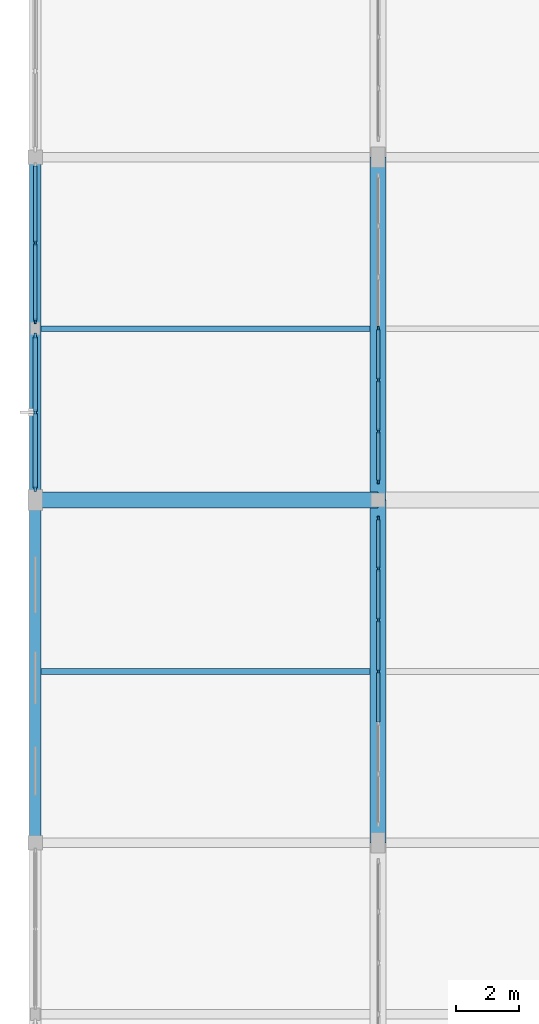
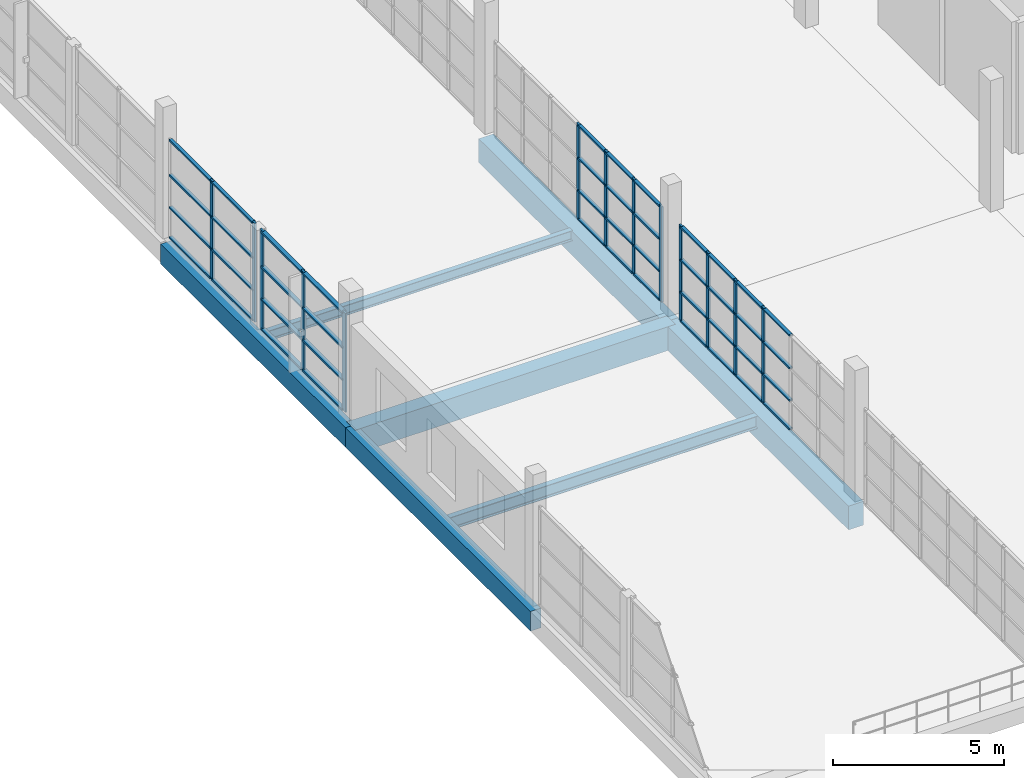
# One storey, part 16 of 142: 57 members, 7 beams, 4 elements without a shape of their own.
"""IFC4 building model written with IfcOpenShell, lengths in metres."""

from ifc_helpers import new_model, si_unit, direction, frame, origin, origin_2d, place, context, subcontext, project, spatial, rectangle, i_section, extrude, material, material_profile, profile_set, type_object, element, aggregate, save


model = new_model("IFC4")

# Units and contexts
model_context = context("Model", 3, precision=1e-05, world=origin(), true_north=direction((0.0, 1.0)))
body_context = subcontext(model_context, "Body", "Model", "MODEL_VIEW")
ifc_project = project(units=[si_unit("LENGTHUNIT", "METRE"), si_unit("AREAUNIT", "SQUARE_METRE"), si_unit("VOLUMEUNIT", "CUBIC_METRE"), si_unit("PLANEANGLEUNIT", "RADIAN"), si_unit("MASSUNIT", "GRAM", prefix="KILO")], contexts=[model_context])

# Site, building, storey
site_placement = place(None, origin())
site = spatial("IfcSite", under=ifc_project, at=site_placement, CompositionType="ELEMENT")
building_placement = place(site_placement, origin())
building = spatial("IfcBuilding", under=site, at=building_placement, Name="Zwinboog Wholesale Market", CompositionType="ELEMENT")
storey_placement = place(building_placement, frame((0.0, 0.0, 5.39990234375)))
storey = spatial("IfcBuildingStorey", under=building, at=storey_placement, Name="L01", CompositionType="ELEMENT", Elevation=5.39990234375)

# Beams
ifc_material_1 = material(Name="Precast concrete C45/55", Category="concrete")
ifc_material_profile_1 = material_profile(ifc_material_1, rectangle(XDim=0.5, YDim=0.85009765625, at=origin_2d()), Name="PC 500x850")
ifc_profile_set_1 = profile_set([ifc_material_profile_1], Name="Precast concrete C45/55")
beam_type_1 = type_object("IfcBeamType", Name="BT-03", PredefinedType="BEAM", material=ifc_profile_set_1)
for number, where, z_axis, x_axis, name in (
    (1, (0.0, 54.0, -0.7568359375), (1.0, 0.0, 0.0), (0.0, 1.0, 0.0), "BG-03 (BMG-L01-0000-0540-0475)"),
    (2, (10.800048828125, 43.199951171875, -0.7568359375), (0.0, 1.0, 0.0), (-1.0, 0.0, 0.0), "BG-03 (BMG-L01-0108-0432-0616)"),
    (3, (10.800048828125, 54.0, -0.7568359375), (0.0, 1.0, 0.0), (-1.0, 0.0, 0.0), "BG-03 (BMG-L01-0108-0540-0617)"),
):
    element("IfcBeam", number, at=place(storey_placement, frame(where, z_axis=z_axis, x_axis=x_axis)), inside=storey, type_object=beam_type_1, Name=name, PredefinedType="BEAM", context=body_context, shape_type="SweptSolid", body=[
        extrude(rectangle(XDim=0.5, YDim=0.85009765625, at=origin_2d()), origin(), (0.0, 0.0, 1.0), 10.800048828125),
    ])
ifc_material_profile_2 = material_profile(ifc_material_1, rectangle(XDim=0.35009765625, YDim=0.699951171875, at=origin_2d()), Name="PC 350x700")
ifc_profile_set_2 = profile_set([ifc_material_profile_2], Name="Precast concrete C45/55")
beam_type_2 = type_object("IfcBeamType", Name="BT-08", PredefinedType="SPANDREL", material=ifc_profile_set_2)
for number, where, z_axis, x_axis, name in (
    (4, (0.0, 43.199951171875, -0.681884765625), (0.0, 1.0, 0.0), (-1.0, 0.0, 0.0), "SP-01 (BMG-L01-0000-0432-0605)"),
    (5, (0.0, 54.0, -0.681884765625), (0.0, 1.0, 0.0), (-1.0, 0.0, 0.0), "SP-01 (BMG-L01-0000-0540-0606)"),
):
    element("IfcBeam", number, at=place(storey_placement, frame(where, z_axis=z_axis, x_axis=x_axis)), inside=storey, type_object=beam_type_2, Name=name, PredefinedType="SPANDREL", context=body_context, shape_type="SweptSolid", body=[
        extrude(rectangle(XDim=0.35009765625, YDim=0.699951171875, at=origin_2d()), origin(), (0.0, 0.0, 1.0), 10.800048828125),
    ])
ifc_material_2 = material(Name="Steel S355", Category="steel")
ifc_material_profile_3 = material_profile(ifc_material_2, i_section(OverallWidth=0.18994140625, OverallDepth=0.449951171875, WebThickness=0.009521484375, FlangeThickness=0.0146484375, FilletRadius=0.02099609375, at=origin_2d()), Name="IPE 450")
ifc_profile_set_3 = profile_set([ifc_material_profile_3], Name="Steel S355")
beam_type_3 = type_object("IfcBeamType", Name="BT-19", PredefinedType="JOIST", material=ifc_profile_set_3)
beam_1_placement = place(storey_placement, frame((0.175048828125, 48.60009765625, -0.556884765625), z_axis=(1.0, 0.0, 0.0), x_axis=(0.0, 1.0, 0.0)))
element("IfcBeam", 6, at=beam_1_placement, inside=storey, type_object=beam_type_3, Name="SJ-02 (BMG-L01-0002-0486-0780)", PredefinedType="JOIST", context=body_context, shape_type="SweptSolid", body=[
    extrude(i_section(OverallWidth=0.18994140625, OverallDepth=0.449951171875, WebThickness=0.009521484375, FlangeThickness=0.0146484375, FilletRadius=0.02099609375, at=origin_2d()), origin(), (0.0, 0.0, 1.0), 10.375),
])
ifc_material_profile_4 = material_profile(ifc_material_2, i_section(OverallWidth=0.169921875, OverallDepth=0.360107421875, WebThickness=0.008056640625, FlangeThickness=0.0126953125, FilletRadius=0.01806640625, at=origin_2d()), Name="IPE 360")
ifc_profile_set_4 = profile_set([ifc_material_profile_4], Name="Steel S355")
beam_type_4 = type_object("IfcBeamType", Name="BT-20", PredefinedType="JOIST", material=ifc_profile_set_4)
beam_2_placement = place(storey_placement, frame((0.175048828125, 59.39990234375, -0.4599609375), z_axis=(1.0, 0.0, 0.0), x_axis=(0.0, 1.0, 0.0)))
element("IfcBeam", 7, at=beam_2_placement, inside=storey, type_object=beam_type_4, Name="SJ-03 (BMG-L01-0002-0594-0794)", PredefinedType="JOIST", context=body_context, shape_type="SweptSolid", body=[
    extrude(i_section(OverallWidth=0.169921875, OverallDepth=0.360107421875, WebThickness=0.008056640625, FlangeThickness=0.0126953125, FilletRadius=0.01806640625, at=origin_2d()), origin(), (0.0, 0.0, 1.0), 10.375),
])

# Curtain wall, members
ifc_material_3 = material(Name="Aluminium thermally broken curtain wall", Category="aluminium")
curtain_wall_type_1 = type_object("IfcCurtainWallType", Name="CWT-HALL-24", PredefinedType="USERDEFINED", material=ifc_material_3)
curtain_wall_1_placement = place(storey_placement, origin())
curtain_wall_1 = element("IfcCurtainWall", 8, at=curtain_wall_1_placement, inside=storey, type_object=curtain_wall_type_1, Name="CW-03 (CW-L01-057)", ObjectType="UNITIZED_CURTAIN_WALL", PredefinedType="USERDEFINED")
ifc_material_4 = material(Name="Aluminium EN AW-6060", Category="aluminium")
ifc_material_profile_5 = material_profile(ifc_material_4, rectangle(XDim=0.06494140625, YDim=0.179931640625, at=origin_2d()), Name="AL 65x180")
ifc_profile_set_5 = profile_set([ifc_material_profile_5], Name="Aluminium EN AW-6060")
member_type_1 = type_object("IfcMemberType", Name="CWM-65x180", PredefinedType="MULLION", material=ifc_profile_set_5)
member_1_placement = place(storey_placement, frame((0.0, 54.3525390625, 0.0), z_axis=(0.0, 0.0, 1.0), x_axis=(-1.0, 0.0, 0.0)))
member_1 = element("IfcMember", 9, at=member_1_placement, type_object=member_type_1, Name="CW-03 mullion 1", PredefinedType="MULLION", context=body_context, shape_type="SweptSolid", body=[
    extrude(rectangle(XDim=0.06494140625, YDim=0.179931640625, at=origin_2d()), origin(), (0.0, 0.0, 1.0), 3.530029296875),
])
member_2_placement = place(storey_placement, frame((0.0, 56.760009765625, 0.0), z_axis=(0.0, 0.0, 1.0), x_axis=(-1.0, 0.0, 0.0)))
member_2 = element("IfcMember", 10, at=member_2_placement, type_object=member_type_1, Name="CW-03 mullion 2", PredefinedType="MULLION", context=body_context, shape_type="SweptSolid", body=[
    extrude(rectangle(XDim=0.06494140625, YDim=0.179931640625, at=origin_2d()), origin(), (0.0, 0.0, 1.0), 3.530029296875),
])
member_3_placement = place(storey_placement, frame((0.0, 59.16748046875, 0.0), z_axis=(0.0, 0.0, 1.0), x_axis=(-1.0, 0.0, 0.0)))
member_3 = element("IfcMember", 11, at=member_3_placement, type_object=member_type_1, Name="CW-03 mullion 3", PredefinedType="MULLION", context=body_context, shape_type="SweptSolid", body=[
    extrude(rectangle(XDim=0.06494140625, YDim=0.179931640625, at=origin_2d()), origin(), (0.0, 0.0, 1.0), 3.530029296875),
])

curtain_wall_type_2 = type_object("IfcCurtainWallType", Name="CWT-GAL-16", PredefinedType="USERDEFINED", material=ifc_material_3)
curtain_wall_2_placement = place(storey_placement, origin())
curtain_wall_2 = element("IfcCurtainWall", 12, at=curtain_wall_2_placement, inside=storey, type_object=curtain_wall_type_2, Name="CW-04 (CW-L01-058)", ObjectType="UNITIZED_CURTAIN_WALL", PredefinedType="USERDEFINED")
ifc_material_profile_6 = material_profile(ifc_material_4, rectangle(XDim=0.06005859375, YDim=0.14990234375, at=origin_2d()), Name="AL 60x150")
ifc_profile_set_6 = profile_set([ifc_material_profile_6], Name="Aluminium EN AW-6060")
member_type_2 = type_object("IfcMemberType", Name="CWM-60x150", PredefinedType="MULLION", material=ifc_profile_set_6)
member_4_placement = place(storey_placement, frame((0.0, 59.6298828125, 0.0), z_axis=(0.0, 0.0, 1.0), x_axis=(-1.0, 0.0, 0.0)))
member_4 = element("IfcMember", 13, at=member_4_placement, type_object=member_type_2, Name="CW-04 mullion 1", PredefinedType="MULLION", context=body_context, shape_type="SweptSolid", body=[
    extrude(rectangle(XDim=0.06005859375, YDim=0.14990234375, at=origin_2d()), origin(), (0.0, 0.0, 1.0), 3.530029296875),
])
member_5_placement = place(storey_placement, frame((0.0, 62.090087890625, 0.0), z_axis=(0.0, 0.0, 1.0), x_axis=(-1.0, 0.0, 0.0)))
member_5 = element("IfcMember", 14, at=member_5_placement, type_object=member_type_2, Name="CW-04 mullion 2", PredefinedType="MULLION", context=body_context, shape_type="SweptSolid", body=[
    extrude(rectangle(XDim=0.06005859375, YDim=0.14990234375, at=origin_2d()), origin(), (0.0, 0.0, 1.0), 3.530029296875),
])

# Member
ifc_material_profile_7 = material_profile(ifc_material_4, rectangle(XDim=0.139892578125, YDim=0.06494140625, at=origin_2d()), Name="AL 65x140")
ifc_profile_set_7 = profile_set([ifc_material_profile_7], Name="Aluminium EN AW-6060")
member_type_3 = type_object("IfcMemberType", Name="CWT-65x140", PredefinedType="USERDEFINED", material=ifc_profile_set_7)
member_6_placement = place(storey_placement, frame((0.0, 54.385009765625, 0.03271484375), z_axis=(0.0, 1.0, 0.0), x_axis=(-1.0, 0.0, 0.0)))
member_6 = element("IfcMember", 15, at=member_6_placement, type_object=member_type_3, Name="CW-03 transom 1.1", ObjectType="TRANSOM", PredefinedType="USERDEFINED", context=body_context, shape_type="SweptSolid", body=[
    extrude(rectangle(XDim=0.139892578125, YDim=0.06494140625, at=origin_2d()), origin(), (0.0, 0.0, 1.0), 2.342529296875),
])

member_7_placement = place(storey_placement, frame((0.0, 54.385009765625, 1.10009765625), z_axis=(0.0, 1.0, 0.0), x_axis=(-1.0, 0.0, 0.0)))
member_7 = element("IfcMember", 16, at=member_7_placement, type_object=member_type_3, Name="CW-03 transom 1.2", ObjectType="TRANSOM", PredefinedType="USERDEFINED", context=body_context, shape_type="SweptSolid", body=[
    extrude(rectangle(XDim=0.139892578125, YDim=0.06494140625, at=origin_2d()), origin(), (0.0, 0.0, 1.0), 2.342529296875),
])

member_8_placement = place(storey_placement, frame((0.0, 54.385009765625, 2.25), z_axis=(0.0, 1.0, 0.0), x_axis=(-1.0, 0.0, 0.0)))
member_8 = element("IfcMember", 17, at=member_8_placement, type_object=member_type_3, Name="CW-03 transom 1.3", ObjectType="TRANSOM", PredefinedType="USERDEFINED", context=body_context, shape_type="SweptSolid", body=[
    extrude(rectangle(XDim=0.139892578125, YDim=0.06494140625, at=origin_2d()), origin(), (0.0, 0.0, 1.0), 2.342529296875),
])

member_9_placement = place(storey_placement, frame((0.0, 54.385009765625, 3.49755859375), z_axis=(0.0, 1.0, 0.0), x_axis=(-1.0, 0.0, 0.0)))
member_9 = element("IfcMember", 18, at=member_9_placement, type_object=member_type_3, Name="CW-03 transom 1.4", ObjectType="TRANSOM", PredefinedType="USERDEFINED", context=body_context, shape_type="SweptSolid", body=[
    extrude(rectangle(XDim=0.139892578125, YDim=0.06494140625, at=origin_2d()), origin(), (0.0, 0.0, 1.0), 2.342529296875),
])

member_10_placement = place(storey_placement, frame((0.0, 56.79248046875, 0.03271484375), z_axis=(0.0, 1.0, 0.0), x_axis=(-1.0, 0.0, 0.0)))
member_10 = element("IfcMember", 19, at=member_10_placement, type_object=member_type_3, Name="CW-03 transom 2.1", ObjectType="TRANSOM", PredefinedType="USERDEFINED", context=body_context, shape_type="SweptSolid", body=[
    extrude(rectangle(XDim=0.139892578125, YDim=0.06494140625, at=origin_2d()), origin(), (0.0, 0.0, 1.0), 2.342529296875),
])

member_11_placement = place(storey_placement, frame((0.0, 56.79248046875, 1.10009765625), z_axis=(0.0, 1.0, 0.0), x_axis=(-1.0, 0.0, 0.0)))
member_11 = element("IfcMember", 20, at=member_11_placement, type_object=member_type_3, Name="CW-03 transom 2.2", ObjectType="TRANSOM", PredefinedType="USERDEFINED", context=body_context, shape_type="SweptSolid", body=[
    extrude(rectangle(XDim=0.139892578125, YDim=0.06494140625, at=origin_2d()), origin(), (0.0, 0.0, 1.0), 2.342529296875),
])

member_12_placement = place(storey_placement, frame((0.0, 56.79248046875, 2.25), z_axis=(0.0, 1.0, 0.0), x_axis=(-1.0, 0.0, 0.0)))
member_12 = element("IfcMember", 21, at=member_12_placement, type_object=member_type_3, Name="CW-03 transom 2.3", ObjectType="TRANSOM", PredefinedType="USERDEFINED", context=body_context, shape_type="SweptSolid", body=[
    extrude(rectangle(XDim=0.139892578125, YDim=0.06494140625, at=origin_2d()), origin(), (0.0, 0.0, 1.0), 2.342529296875),
])

member_13_placement = place(storey_placement, frame((0.0, 56.79248046875, 3.49755859375), z_axis=(0.0, 1.0, 0.0), x_axis=(-1.0, 0.0, 0.0)))
member_13 = element("IfcMember", 22, at=member_13_placement, type_object=member_type_3, Name="CW-03 transom 2.4", ObjectType="TRANSOM", PredefinedType="USERDEFINED", context=body_context, shape_type="SweptSolid", body=[
    extrude(rectangle(XDim=0.139892578125, YDim=0.06494140625, at=origin_2d()), origin(), (0.0, 0.0, 1.0), 2.342529296875),
])

aggregate(curtain_wall_1, [member_1, member_2, member_3, member_6, member_7, member_8, member_9, member_10, member_11, member_12, member_13])

ifc_material_profile_8 = material_profile(ifc_material_4, rectangle(XDim=0.110107421875, YDim=0.06005859375, at=origin_2d()), Name="AL 60x110")
ifc_profile_set_8 = profile_set([ifc_material_profile_8], Name="Aluminium EN AW-6060")
member_type_4 = type_object("IfcMemberType", Name="CWT-60x110", PredefinedType="USERDEFINED", material=ifc_profile_set_8)
member_14_placement = place(storey_placement, frame((0.0, 59.659912109375, 0.030029296875), z_axis=(0.0, 1.0, 0.0), x_axis=(-1.0, 0.0, 0.0)))
member_14 = element("IfcMember", 23, at=member_14_placement, type_object=member_type_4, Name="CW-04 transom 1.1", ObjectType="TRANSOM", PredefinedType="USERDEFINED", context=body_context, shape_type="SweptSolid", body=[
    extrude(rectangle(XDim=0.110107421875, YDim=0.06005859375, at=origin_2d()), origin(), (0.0, 0.0, 1.0), 2.400146484375),
])

member_15_placement = place(storey_placement, frame((0.0, 59.659912109375, 1.10009765625), z_axis=(0.0, 1.0, 0.0), x_axis=(-1.0, 0.0, 0.0)))
member_15 = element("IfcMember", 24, at=member_15_placement, type_object=member_type_4, Name="CW-04 transom 1.2", ObjectType="TRANSOM", PredefinedType="USERDEFINED", context=body_context, shape_type="SweptSolid", body=[
    extrude(rectangle(XDim=0.110107421875, YDim=0.06005859375, at=origin_2d()), origin(), (0.0, 0.0, 1.0), 2.400146484375),
])

member_16_placement = place(storey_placement, frame((0.0, 59.659912109375, 2.25), z_axis=(0.0, 1.0, 0.0), x_axis=(-1.0, 0.0, 0.0)))
member_16 = element("IfcMember", 25, at=member_16_placement, type_object=member_type_4, Name="CW-04 transom 1.3", ObjectType="TRANSOM", PredefinedType="USERDEFINED", context=body_context, shape_type="SweptSolid", body=[
    extrude(rectangle(XDim=0.110107421875, YDim=0.06005859375, at=origin_2d()), origin(), (0.0, 0.0, 1.0), 2.400146484375),
])

member_17_placement = place(storey_placement, frame((0.0, 59.659912109375, 3.5), z_axis=(0.0, 1.0, 0.0), x_axis=(-1.0, 0.0, 0.0)))
member_17 = element("IfcMember", 26, at=member_17_placement, type_object=member_type_4, Name="CW-04 transom 1.4", ObjectType="TRANSOM", PredefinedType="USERDEFINED", context=body_context, shape_type="SweptSolid", body=[
    extrude(rectangle(XDim=0.110107421875, YDim=0.06005859375, at=origin_2d()), origin(), (0.0, 0.0, 1.0), 2.400146484375),
])

member_18_placement = place(storey_placement, frame((0.0, 62.1201171875, 0.030029296875), z_axis=(0.0, 1.0, 0.0), x_axis=(-1.0, 0.0, 0.0)))
member_18 = element("IfcMember", 27, at=member_18_placement, type_object=member_type_4, Name="CW-04 transom 2.1", ObjectType="TRANSOM", PredefinedType="USERDEFINED", context=body_context, shape_type="SweptSolid", body=[
    extrude(rectangle(XDim=0.110107421875, YDim=0.06005859375, at=origin_2d()), origin(), (0.0, 0.0, 1.0), 2.39990234375),
])

member_19_placement = place(storey_placement, frame((0.0, 62.1201171875, 1.10009765625), z_axis=(0.0, 1.0, 0.0), x_axis=(-1.0, 0.0, 0.0)))
member_19 = element("IfcMember", 28, at=member_19_placement, type_object=member_type_4, Name="CW-04 transom 2.2", ObjectType="TRANSOM", PredefinedType="USERDEFINED", context=body_context, shape_type="SweptSolid", body=[
    extrude(rectangle(XDim=0.110107421875, YDim=0.06005859375, at=origin_2d()), origin(), (0.0, 0.0, 1.0), 2.39990234375),
])

member_20_placement = place(storey_placement, frame((0.0, 62.1201171875, 2.25), z_axis=(0.0, 1.0, 0.0), x_axis=(-1.0, 0.0, 0.0)))
member_20 = element("IfcMember", 29, at=member_20_placement, type_object=member_type_4, Name="CW-04 transom 2.3", ObjectType="TRANSOM", PredefinedType="USERDEFINED", context=body_context, shape_type="SweptSolid", body=[
    extrude(rectangle(XDim=0.110107421875, YDim=0.06005859375, at=origin_2d()), origin(), (0.0, 0.0, 1.0), 2.39990234375),
])

member_21_placement = place(storey_placement, frame((0.0, 62.1201171875, 3.5), z_axis=(0.0, 1.0, 0.0), x_axis=(-1.0, 0.0, 0.0)))
member_21 = element("IfcMember", 30, at=member_21_placement, type_object=member_type_4, Name="CW-04 transom 2.4", ObjectType="TRANSOM", PredefinedType="USERDEFINED", context=body_context, shape_type="SweptSolid", body=[
    extrude(rectangle(XDim=0.110107421875, YDim=0.06005859375, at=origin_2d()), origin(), (0.0, 0.0, 1.0), 2.39990234375),
])

aggregate(curtain_wall_2, [member_4, member_5, member_14, member_15, member_16, member_17, member_18, member_19, member_20, member_21])

# Curtain wall, members
curtain_wall_type_3 = type_object("IfcCurtainWallType", Name="CWT-INT-STALL", PredefinedType="USERDEFINED", material=ifc_material_3)
curtain_wall_3_placement = place(storey_placement, origin())
curtain_wall_3 = element("IfcCurtainWall", 31, at=curtain_wall_3_placement, inside=storey, type_object=curtain_wall_type_3, Name="CW-07 (CW-STL-259)", ObjectType="STOREFRONT_GLAZING", PredefinedType="USERDEFINED")
ifc_material_profile_9 = material_profile(ifc_material_4, rectangle(XDim=0.06005859375, YDim=0.14990234375, at=origin_2d()), Name="AL 60x150")
ifc_profile_set_9 = profile_set([ifc_material_profile_9], Name="Aluminium EN AW-6060")
member_type_5 = type_object("IfcMemberType", Name="CWM-INT-60x120", PredefinedType="MULLION", material=ifc_profile_set_9)
member_22_placement = place(storey_placement, frame((10.800048828125, 48.60009765625, 0.0), z_axis=(0.0, 0.0, 1.0), x_axis=(-1.0, 0.0, 0.0)))
member_22 = element("IfcMember", 32, at=member_22_placement, type_object=member_type_5, Name="CW-07 mullion 4", PredefinedType="MULLION", context=body_context, shape_type="SweptSolid", body=[
    extrude(rectangle(XDim=0.06005859375, YDim=0.14990234375, at=origin_2d()), origin(), (0.0, 0.0, 1.0), 3.400146484375),
])
member_23_placement = place(storey_placement, frame((10.800048828125, 50.216552734375, 0.0), z_axis=(0.0, 0.0, 1.0), x_axis=(-1.0, 0.0, 0.0)))
member_23 = element("IfcMember", 33, at=member_23_placement, type_object=member_type_5, Name="CW-07 mullion 5", PredefinedType="MULLION", context=body_context, shape_type="SweptSolid", body=[
    extrude(rectangle(XDim=0.06005859375, YDim=0.14990234375, at=origin_2d()), origin(), (0.0, 0.0, 1.0), 3.400146484375),
])
member_24_placement = place(storey_placement, frame((10.800048828125, 51.833251953125, 0.0), z_axis=(0.0, 0.0, 1.0), x_axis=(-1.0, 0.0, 0.0)))
member_24 = element("IfcMember", 34, at=member_24_placement, type_object=member_type_5, Name="CW-07 mullion 6", PredefinedType="MULLION", context=body_context, shape_type="SweptSolid", body=[
    extrude(rectangle(XDim=0.06005859375, YDim=0.14990234375, at=origin_2d()), origin(), (0.0, 0.0, 1.0), 3.400146484375),
])
member_25_placement = place(storey_placement, frame((10.800048828125, 53.419921875, 0.0), z_axis=(0.0, 0.0, 1.0), x_axis=(-1.0, 0.0, 0.0)))
member_25 = element("IfcMember", 35, at=member_25_placement, type_object=member_type_5, Name="CW-07 mullion 7", PredefinedType="MULLION", context=body_context, shape_type="SweptSolid", body=[
    extrude(rectangle(XDim=0.06005859375, YDim=0.14990234375, at=origin_2d()), origin(), (0.0, 0.0, 1.0), 3.400146484375),
])

curtain_wall_4_placement = place(storey_placement, origin())
curtain_wall_4 = element("IfcCurtainWall", 36, at=curtain_wall_4_placement, inside=storey, type_object=curtain_wall_type_3, Name="CW-07 (CW-STL-260)", ObjectType="STOREFRONT_GLAZING", PredefinedType="USERDEFINED")
member_26_placement = place(storey_placement, frame((10.800048828125, 54.580078125, 0.0), z_axis=(0.0, 0.0, 1.0), x_axis=(-1.0, 0.0, 0.0)))
member_26 = element("IfcMember", 37, at=member_26_placement, type_object=member_type_5, Name="CW-07 mullion 1", PredefinedType="MULLION", context=body_context, shape_type="SweptSolid", body=[
    extrude(rectangle(XDim=0.06005859375, YDim=0.14990234375, at=origin_2d()), origin(), (0.0, 0.0, 1.0), 3.400146484375),
])
member_27_placement = place(storey_placement, frame((10.800048828125, 56.166748046875, 0.0), z_axis=(0.0, 0.0, 1.0), x_axis=(-1.0, 0.0, 0.0)))
member_27 = element("IfcMember", 38, at=member_27_placement, type_object=member_type_5, Name="CW-07 mullion 2", PredefinedType="MULLION", context=body_context, shape_type="SweptSolid", body=[
    extrude(rectangle(XDim=0.06005859375, YDim=0.14990234375, at=origin_2d()), origin(), (0.0, 0.0, 1.0), 3.400146484375),
])
member_28_placement = place(storey_placement, frame((10.800048828125, 57.783447265625, 0.0), z_axis=(0.0, 0.0, 1.0), x_axis=(-1.0, 0.0, 0.0)))
member_28 = element("IfcMember", 39, at=member_28_placement, type_object=member_type_5, Name="CW-07 mullion 3", PredefinedType="MULLION", context=body_context, shape_type="SweptSolid", body=[
    extrude(rectangle(XDim=0.06005859375, YDim=0.14990234375, at=origin_2d()), origin(), (0.0, 0.0, 1.0), 3.400146484375),
])
member_29_placement = place(storey_placement, frame((10.800048828125, 59.39990234375, 0.0), z_axis=(0.0, 0.0, 1.0), x_axis=(-1.0, 0.0, 0.0)))
member_29 = element("IfcMember", 40, at=member_29_placement, type_object=member_type_5, Name="CW-07 mullion 4", PredefinedType="MULLION", context=body_context, shape_type="SweptSolid", body=[
    extrude(rectangle(XDim=0.06005859375, YDim=0.14990234375, at=origin_2d()), origin(), (0.0, 0.0, 1.0), 3.400146484375),
])

# Member
ifc_material_profile_10 = material_profile(ifc_material_4, rectangle(XDim=0.110107421875, YDim=0.06005859375, at=origin_2d()), Name="AL 60x110")
ifc_profile_set_10 = profile_set([ifc_material_profile_10], Name="Aluminium EN AW-6060")
member_type_6 = type_object("IfcMemberType", Name="CWT-INT-60x100", PredefinedType="USERDEFINED", material=ifc_profile_set_10)
member_30_placement = place(storey_placement, frame((10.800048828125, 47.013427734375, 0.030029296875), z_axis=(0.0, 1.0, 0.0), x_axis=(-1.0, 0.0, 0.0)))
member_30 = element("IfcMember", 41, at=member_30_placement, type_object=member_type_6, Name="CW-07 transom 3.1", ObjectType="TRANSOM", PredefinedType="USERDEFINED", context=body_context, shape_type="SweptSolid", body=[
    extrude(rectangle(XDim=0.110107421875, YDim=0.06005859375, at=origin_2d()), origin(), (0.0, 0.0, 1.0), 1.556640625),
])

member_31_placement = place(storey_placement, frame((10.800048828125, 47.013427734375, 1.050048828125), z_axis=(0.0, 1.0, 0.0), x_axis=(-1.0, 0.0, 0.0)))
member_31 = element("IfcMember", 42, at=member_31_placement, type_object=member_type_6, Name="CW-07 transom 3.2", ObjectType="TRANSOM", PredefinedType="USERDEFINED", context=body_context, shape_type="SweptSolid", body=[
    extrude(rectangle(XDim=0.110107421875, YDim=0.06005859375, at=origin_2d()), origin(), (0.0, 0.0, 1.0), 1.556640625),
])

member_32_placement = place(storey_placement, frame((10.800048828125, 47.013427734375, 2.2001953125), z_axis=(0.0, 1.0, 0.0), x_axis=(-1.0, 0.0, 0.0)))
member_32 = element("IfcMember", 43, at=member_32_placement, type_object=member_type_6, Name="CW-07 transom 3.3", ObjectType="TRANSOM", PredefinedType="USERDEFINED", context=body_context, shape_type="SweptSolid", body=[
    extrude(rectangle(XDim=0.110107421875, YDim=0.06005859375, at=origin_2d()), origin(), (0.0, 0.0, 1.0), 1.556640625),
])

member_33_placement = place(storey_placement, frame((10.800048828125, 47.013427734375, 3.3701171875), z_axis=(0.0, 1.0, 0.0), x_axis=(-1.0, 0.0, 0.0)))
member_33 = element("IfcMember", 44, at=member_33_placement, type_object=member_type_6, Name="CW-07 transom 3.4", ObjectType="TRANSOM", PredefinedType="USERDEFINED", context=body_context, shape_type="SweptSolid", body=[
    extrude(rectangle(XDim=0.110107421875, YDim=0.06005859375, at=origin_2d()), origin(), (0.0, 0.0, 1.0), 1.556640625),
])

member_34_placement = place(storey_placement, frame((10.800048828125, 48.6298828125, 0.030029296875), z_axis=(0.0, 1.0, 0.0), x_axis=(-1.0, 0.0, 0.0)))
member_34 = element("IfcMember", 45, at=member_34_placement, type_object=member_type_6, Name="CW-07 transom 4.1", ObjectType="TRANSOM", PredefinedType="USERDEFINED", context=body_context, shape_type="SweptSolid", body=[
    extrude(rectangle(XDim=0.110107421875, YDim=0.06005859375, at=origin_2d()), origin(), (0.0, 0.0, 1.0), 1.556884765625),
])

member_35_placement = place(storey_placement, frame((10.800048828125, 48.6298828125, 1.050048828125), z_axis=(0.0, 1.0, 0.0), x_axis=(-1.0, 0.0, 0.0)))
member_35 = element("IfcMember", 46, at=member_35_placement, type_object=member_type_6, Name="CW-07 transom 4.2", ObjectType="TRANSOM", PredefinedType="USERDEFINED", context=body_context, shape_type="SweptSolid", body=[
    extrude(rectangle(XDim=0.110107421875, YDim=0.06005859375, at=origin_2d()), origin(), (0.0, 0.0, 1.0), 1.556884765625),
])

member_36_placement = place(storey_placement, frame((10.800048828125, 48.6298828125, 2.2001953125), z_axis=(0.0, 1.0, 0.0), x_axis=(-1.0, 0.0, 0.0)))
member_36 = element("IfcMember", 47, at=member_36_placement, type_object=member_type_6, Name="CW-07 transom 4.3", ObjectType="TRANSOM", PredefinedType="USERDEFINED", context=body_context, shape_type="SweptSolid", body=[
    extrude(rectangle(XDim=0.110107421875, YDim=0.06005859375, at=origin_2d()), origin(), (0.0, 0.0, 1.0), 1.556884765625),
])

member_37_placement = place(storey_placement, frame((10.800048828125, 48.6298828125, 3.3701171875), z_axis=(0.0, 1.0, 0.0), x_axis=(-1.0, 0.0, 0.0)))
member_37 = element("IfcMember", 48, at=member_37_placement, type_object=member_type_6, Name="CW-07 transom 4.4", ObjectType="TRANSOM", PredefinedType="USERDEFINED", context=body_context, shape_type="SweptSolid", body=[
    extrude(rectangle(XDim=0.110107421875, YDim=0.06005859375, at=origin_2d()), origin(), (0.0, 0.0, 1.0), 1.556884765625),
])

member_38_placement = place(storey_placement, frame((10.800048828125, 50.24658203125, 0.030029296875), z_axis=(0.0, 1.0, 0.0), x_axis=(-1.0, 0.0, 0.0)))
member_38 = element("IfcMember", 49, at=member_38_placement, type_object=member_type_6, Name="CW-07 transom 5.1", ObjectType="TRANSOM", PredefinedType="USERDEFINED", context=body_context, shape_type="SweptSolid", body=[
    extrude(rectangle(XDim=0.110107421875, YDim=0.06005859375, at=origin_2d()), origin(), (0.0, 0.0, 1.0), 1.556640625),
])

member_39_placement = place(storey_placement, frame((10.800048828125, 50.24658203125, 1.050048828125), z_axis=(0.0, 1.0, 0.0), x_axis=(-1.0, 0.0, 0.0)))
member_39 = element("IfcMember", 50, at=member_39_placement, type_object=member_type_6, Name="CW-07 transom 5.2", ObjectType="TRANSOM", PredefinedType="USERDEFINED", context=body_context, shape_type="SweptSolid", body=[
    extrude(rectangle(XDim=0.110107421875, YDim=0.06005859375, at=origin_2d()), origin(), (0.0, 0.0, 1.0), 1.556640625),
])

member_40_placement = place(storey_placement, frame((10.800048828125, 50.24658203125, 2.2001953125), z_axis=(0.0, 1.0, 0.0), x_axis=(-1.0, 0.0, 0.0)))
member_40 = element("IfcMember", 51, at=member_40_placement, type_object=member_type_6, Name="CW-07 transom 5.3", ObjectType="TRANSOM", PredefinedType="USERDEFINED", context=body_context, shape_type="SweptSolid", body=[
    extrude(rectangle(XDim=0.110107421875, YDim=0.06005859375, at=origin_2d()), origin(), (0.0, 0.0, 1.0), 1.556640625),
])

member_41_placement = place(storey_placement, frame((10.800048828125, 50.24658203125, 3.3701171875), z_axis=(0.0, 1.0, 0.0), x_axis=(-1.0, 0.0, 0.0)))
member_41 = element("IfcMember", 52, at=member_41_placement, type_object=member_type_6, Name="CW-07 transom 5.4", ObjectType="TRANSOM", PredefinedType="USERDEFINED", context=body_context, shape_type="SweptSolid", body=[
    extrude(rectangle(XDim=0.110107421875, YDim=0.06005859375, at=origin_2d()), origin(), (0.0, 0.0, 1.0), 1.556640625),
])

member_42_placement = place(storey_placement, frame((10.800048828125, 51.86328125, 0.030029296875), z_axis=(0.0, 1.0, 0.0), x_axis=(-1.0, 0.0, 0.0)))
member_42 = element("IfcMember", 53, at=member_42_placement, type_object=member_type_6, Name="CW-07 transom 6.1", ObjectType="TRANSOM", PredefinedType="USERDEFINED", context=body_context, shape_type="SweptSolid", body=[
    extrude(rectangle(XDim=0.110107421875, YDim=0.06005859375, at=origin_2d()), origin(), (0.0, 0.0, 1.0), 1.526611328125),
])

member_43_placement = place(storey_placement, frame((10.800048828125, 51.86328125, 1.050048828125), z_axis=(0.0, 1.0, 0.0), x_axis=(-1.0, 0.0, 0.0)))
member_43 = element("IfcMember", 54, at=member_43_placement, type_object=member_type_6, Name="CW-07 transom 6.2", ObjectType="TRANSOM", PredefinedType="USERDEFINED", context=body_context, shape_type="SweptSolid", body=[
    extrude(rectangle(XDim=0.110107421875, YDim=0.06005859375, at=origin_2d()), origin(), (0.0, 0.0, 1.0), 1.526611328125),
])

member_44_placement = place(storey_placement, frame((10.800048828125, 51.86328125, 2.2001953125), z_axis=(0.0, 1.0, 0.0), x_axis=(-1.0, 0.0, 0.0)))
member_44 = element("IfcMember", 55, at=member_44_placement, type_object=member_type_6, Name="CW-07 transom 6.3", ObjectType="TRANSOM", PredefinedType="USERDEFINED", context=body_context, shape_type="SweptSolid", body=[
    extrude(rectangle(XDim=0.110107421875, YDim=0.06005859375, at=origin_2d()), origin(), (0.0, 0.0, 1.0), 1.526611328125),
])

member_45_placement = place(storey_placement, frame((10.800048828125, 51.86328125, 3.3701171875), z_axis=(0.0, 1.0, 0.0), x_axis=(-1.0, 0.0, 0.0)))
member_45 = element("IfcMember", 56, at=member_45_placement, type_object=member_type_6, Name="CW-07 transom 6.4", ObjectType="TRANSOM", PredefinedType="USERDEFINED", context=body_context, shape_type="SweptSolid", body=[
    extrude(rectangle(XDim=0.110107421875, YDim=0.06005859375, at=origin_2d()), origin(), (0.0, 0.0, 1.0), 1.526611328125),
])

aggregate(curtain_wall_3, [member_22, member_23, member_24, member_25, member_30, member_31, member_32, member_33, member_34, member_35, member_36, member_37, member_38, member_39, member_40, member_41, member_42, member_43, member_44, member_45])

member_46_placement = place(storey_placement, frame((10.800048828125, 54.610107421875, 0.030029296875), z_axis=(0.0, 1.0, 0.0), x_axis=(-1.0, 0.0, 0.0)))
member_46 = element("IfcMember", 57, at=member_46_placement, type_object=member_type_6, Name="CW-07 transom 1.1", ObjectType="TRANSOM", PredefinedType="USERDEFINED", context=body_context, shape_type="SweptSolid", body=[
    extrude(rectangle(XDim=0.110107421875, YDim=0.06005859375, at=origin_2d()), origin(), (0.0, 0.0, 1.0), 1.526611328125),
])

member_47_placement = place(storey_placement, frame((10.800048828125, 54.610107421875, 1.050048828125), z_axis=(0.0, 1.0, 0.0), x_axis=(-1.0, 0.0, 0.0)))
member_47 = element("IfcMember", 58, at=member_47_placement, type_object=member_type_6, Name="CW-07 transom 1.2", ObjectType="TRANSOM", PredefinedType="USERDEFINED", context=body_context, shape_type="SweptSolid", body=[
    extrude(rectangle(XDim=0.110107421875, YDim=0.06005859375, at=origin_2d()), origin(), (0.0, 0.0, 1.0), 1.526611328125),
])

member_48_placement = place(storey_placement, frame((10.800048828125, 54.610107421875, 2.2001953125), z_axis=(0.0, 1.0, 0.0), x_axis=(-1.0, 0.0, 0.0)))
member_48 = element("IfcMember", 59, at=member_48_placement, type_object=member_type_6, Name="CW-07 transom 1.3", ObjectType="TRANSOM", PredefinedType="USERDEFINED", context=body_context, shape_type="SweptSolid", body=[
    extrude(rectangle(XDim=0.110107421875, YDim=0.06005859375, at=origin_2d()), origin(), (0.0, 0.0, 1.0), 1.526611328125),
])

member_49_placement = place(storey_placement, frame((10.800048828125, 54.610107421875, 3.3701171875), z_axis=(0.0, 1.0, 0.0), x_axis=(-1.0, 0.0, 0.0)))
member_49 = element("IfcMember", 60, at=member_49_placement, type_object=member_type_6, Name="CW-07 transom 1.4", ObjectType="TRANSOM", PredefinedType="USERDEFINED", context=body_context, shape_type="SweptSolid", body=[
    extrude(rectangle(XDim=0.110107421875, YDim=0.06005859375, at=origin_2d()), origin(), (0.0, 0.0, 1.0), 1.526611328125),
])

member_50_placement = place(storey_placement, frame((10.800048828125, 56.19677734375, 0.030029296875), z_axis=(0.0, 1.0, 0.0), x_axis=(-1.0, 0.0, 0.0)))
member_50 = element("IfcMember", 61, at=member_50_placement, type_object=member_type_6, Name="CW-07 transom 2.1", ObjectType="TRANSOM", PredefinedType="USERDEFINED", context=body_context, shape_type="SweptSolid", body=[
    extrude(rectangle(XDim=0.110107421875, YDim=0.06005859375, at=origin_2d()), origin(), (0.0, 0.0, 1.0), 1.556640625),
])

member_51_placement = place(storey_placement, frame((10.800048828125, 56.19677734375, 1.050048828125), z_axis=(0.0, 1.0, 0.0), x_axis=(-1.0, 0.0, 0.0)))
member_51 = element("IfcMember", 62, at=member_51_placement, type_object=member_type_6, Name="CW-07 transom 2.2", ObjectType="TRANSOM", PredefinedType="USERDEFINED", context=body_context, shape_type="SweptSolid", body=[
    extrude(rectangle(XDim=0.110107421875, YDim=0.06005859375, at=origin_2d()), origin(), (0.0, 0.0, 1.0), 1.556640625),
])

member_52_placement = place(storey_placement, frame((10.800048828125, 56.19677734375, 2.2001953125), z_axis=(0.0, 1.0, 0.0), x_axis=(-1.0, 0.0, 0.0)))
member_52 = element("IfcMember", 63, at=member_52_placement, type_object=member_type_6, Name="CW-07 transom 2.3", ObjectType="TRANSOM", PredefinedType="USERDEFINED", context=body_context, shape_type="SweptSolid", body=[
    extrude(rectangle(XDim=0.110107421875, YDim=0.06005859375, at=origin_2d()), origin(), (0.0, 0.0, 1.0), 1.556640625),
])

member_53_placement = place(storey_placement, frame((10.800048828125, 56.19677734375, 3.3701171875), z_axis=(0.0, 1.0, 0.0), x_axis=(-1.0, 0.0, 0.0)))
member_53 = element("IfcMember", 64, at=member_53_placement, type_object=member_type_6, Name="CW-07 transom 2.4", ObjectType="TRANSOM", PredefinedType="USERDEFINED", context=body_context, shape_type="SweptSolid", body=[
    extrude(rectangle(XDim=0.110107421875, YDim=0.06005859375, at=origin_2d()), origin(), (0.0, 0.0, 1.0), 1.556640625),
])

member_54_placement = place(storey_placement, frame((10.800048828125, 57.813232421875, 0.030029296875), z_axis=(0.0, 1.0, 0.0), x_axis=(-1.0, 0.0, 0.0)))
member_54 = element("IfcMember", 65, at=member_54_placement, type_object=member_type_6, Name="CW-07 transom 3.1", ObjectType="TRANSOM", PredefinedType="USERDEFINED", context=body_context, shape_type="SweptSolid", body=[
    extrude(rectangle(XDim=0.110107421875, YDim=0.06005859375, at=origin_2d()), origin(), (0.0, 0.0, 1.0), 1.556884765625),
])

member_55_placement = place(storey_placement, frame((10.800048828125, 57.813232421875, 1.050048828125), z_axis=(0.0, 1.0, 0.0), x_axis=(-1.0, 0.0, 0.0)))
member_55 = element("IfcMember", 66, at=member_55_placement, type_object=member_type_6, Name="CW-07 transom 3.2", ObjectType="TRANSOM", PredefinedType="USERDEFINED", context=body_context, shape_type="SweptSolid", body=[
    extrude(rectangle(XDim=0.110107421875, YDim=0.06005859375, at=origin_2d()), origin(), (0.0, 0.0, 1.0), 1.556884765625),
])

member_56_placement = place(storey_placement, frame((10.800048828125, 57.813232421875, 2.2001953125), z_axis=(0.0, 1.0, 0.0), x_axis=(-1.0, 0.0, 0.0)))
member_56 = element("IfcMember", 67, at=member_56_placement, type_object=member_type_6, Name="CW-07 transom 3.3", ObjectType="TRANSOM", PredefinedType="USERDEFINED", context=body_context, shape_type="SweptSolid", body=[
    extrude(rectangle(XDim=0.110107421875, YDim=0.06005859375, at=origin_2d()), origin(), (0.0, 0.0, 1.0), 1.556884765625),
])

member_57_placement = place(storey_placement, frame((10.800048828125, 57.813232421875, 3.3701171875), z_axis=(0.0, 1.0, 0.0), x_axis=(-1.0, 0.0, 0.0)))
member_57 = element("IfcMember", 68, at=member_57_placement, type_object=member_type_6, Name="CW-07 transom 3.4", ObjectType="TRANSOM", PredefinedType="USERDEFINED", context=body_context, shape_type="SweptSolid", body=[
    extrude(rectangle(XDim=0.110107421875, YDim=0.06005859375, at=origin_2d()), origin(), (0.0, 0.0, 1.0), 1.556884765625),
])

aggregate(curtain_wall_4, [member_26, member_27, member_28, member_29, member_46, member_47, member_48, member_49, member_50, member_51, member_52, member_53, member_54, member_55, member_56, member_57])

save(model, "model.ifc")
